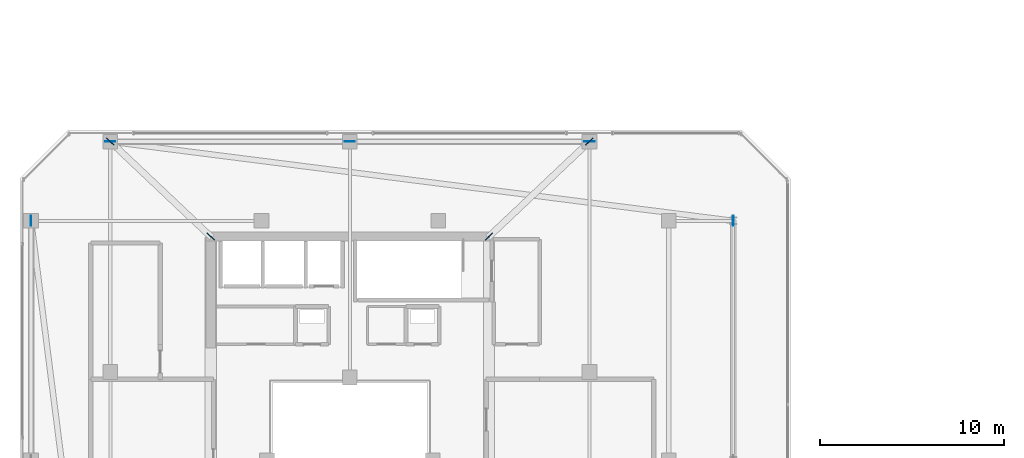
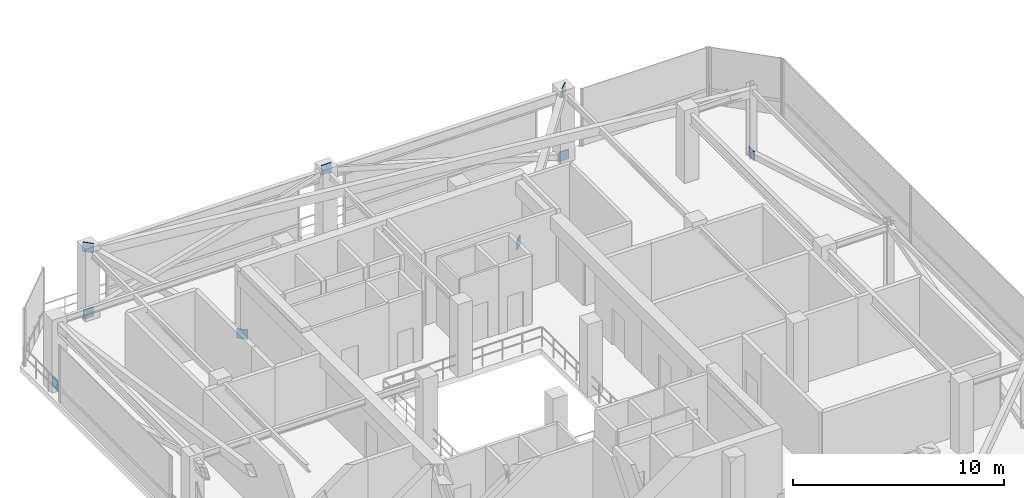
# One storey, part 38 of 47: 9 plates.
"""IFC4 building model written with IfcOpenShell, lengths in metres."""

from ifc_helpers import new_model, si_unit, direction, frame, origin, origin_2d, place, context, subcontext, project, spatial, rectangle, extrude, material, layer, layer_set, type_object, element, save


model = new_model("IFC4")

# Units and contexts
model_context = context("Model", 3, precision=1e-05, world=origin(), true_north=direction((0.0, 1.0)))
body_context = subcontext(model_context, "Body", "Model", "MODEL_VIEW")
ifc_project = project(units=[si_unit("LENGTHUNIT", "METRE"), si_unit("AREAUNIT", "SQUARE_METRE"), si_unit("VOLUMEUNIT", "CUBIC_METRE"), si_unit("PLANEANGLEUNIT", "RADIAN"), si_unit("MASSUNIT", "GRAM", prefix="KILO")], contexts=[model_context])

# Site, building, storey
site_placement = place(None, origin())
site = spatial("IfcSite", under=ifc_project, at=site_placement, CompositionType="ELEMENT")
building_placement = place(site_placement, origin())
building = spatial("IfcBuilding", under=site, at=building_placement, Name="Thornwick Lancets Civic Towers", CompositionType="ELEMENT")
storey_placement = place(building_placement, frame((0.0, 0.0, 279.89990234375)))
storey = spatial("IfcBuildingStorey", under=building, at=storey_placement, Name="C01", CompositionType="ELEMENT", Elevation=279.89990234375)

# Plates
ifc_material = material(Name="Steel S460M", Category="steel")
ifc_layer = layer(ifc_material, 0.0400390625, Name="Steel S460M")
ifc_layer_set = layer_set([ifc_layer], Name="Steel S460M")
plate_type = type_object("IfcPlateType", Name="PLT_GUSSET_40", PredefinedType="USERDEFINED", material=ifc_layer_set)
for number, where, z_axis, x_axis, name in (
    (1, (46.300048828125, 40.0, -0.125), (0.0, 0.0, 1.0), (0.0, -1.0, 0.0), "C01 Brace Connection Gusset Plate 0426"),
    (2, (12.5, 44.300048828125, -0.125), (0.0, 0.0, 1.0), (1.0, 0.0, 0.0), "C01 Brace Connection Gusset Plate 0427"),
    (3, (25.5, 44.300048828125, 3.6650390625), (0.0, 0.0, 1.0), (1.0, 0.0, 0.0), "C01 Brace Connection Gusset Plate 0428"),
    (4, (38.5, 44.300048828125, -0.125), (0.0, 0.0, 1.0), (-1.0, 0.0, 0.0), "C01 Brace Connection Gusset Plate 0429"),
    (5, (8.199951171875, 40.0, -0.125), (0.0, 0.0, 1.0), (0.0, -1.0, 0.0), "C01 Brace Connection Gusset Plate 0432"),
    (6, (33.050048828125, 39.14990234375, -0.125), (0.0, 0.0, 1.0), (0.726814465487, 0.686833846544, 0.0), "C01 Brace Connection Gusset Plate 0437"),
    (7, (38.5, 44.300048828125, 3.6650390625), (0.0, 0.0, 1.0), (0.726814465487, 0.686833846544, 0.0), "C01 Brace Connection Gusset Plate 0438"),
    (8, (17.949951171875, 39.14990234375, -0.125), (0.0, 0.0, 1.0), (-0.726814465487, 0.686833846544, 0.0), "C01 Brace Connection Gusset Plate 0439"),
    (9, (12.5, 44.300048828125, 3.6650390625), (0.0, 0.0, 1.0), (-0.726814465487, 0.686833846544, 0.0), "C01 Brace Connection Gusset Plate 0440"),
):
    element("IfcPlate", number, at=place(storey_placement, frame(where, z_axis=z_axis, x_axis=x_axis)), inside=storey, type_object=plate_type, Name=name, ObjectType="GUSSET_PLATE", PredefinedType="USERDEFINED", context=body_context, shape_type="SweptSolid", body=[
        extrude(rectangle(XDim=0.550048828125, YDim=0.0400390625, at=origin_2d()), origin(), (0.0, 0.0, 1.0), 0.550048828125),
    ])

save(model, "model.ifc")
